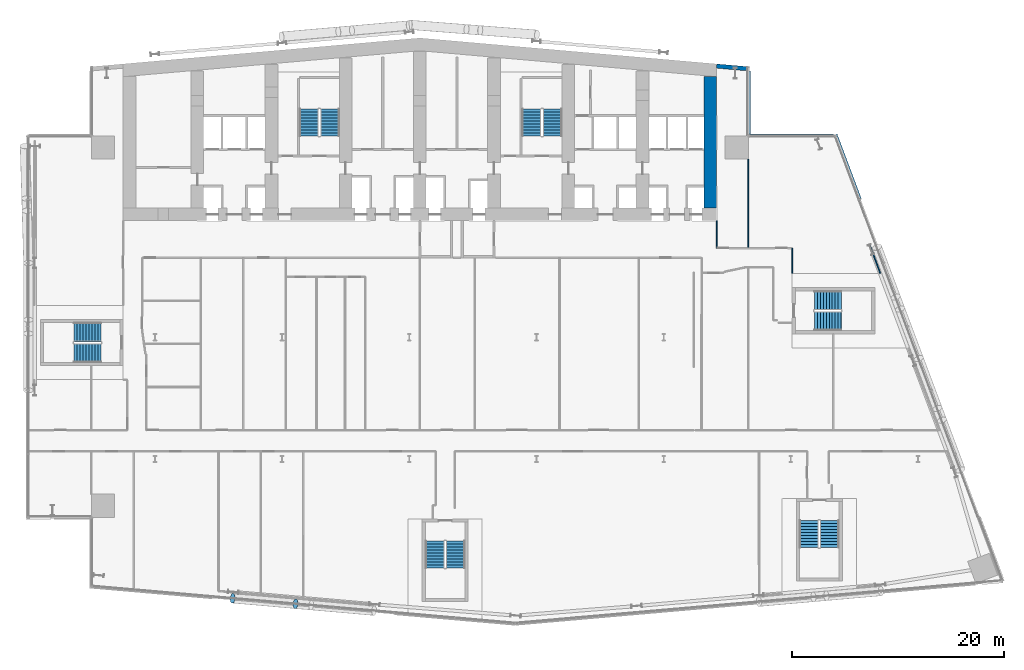
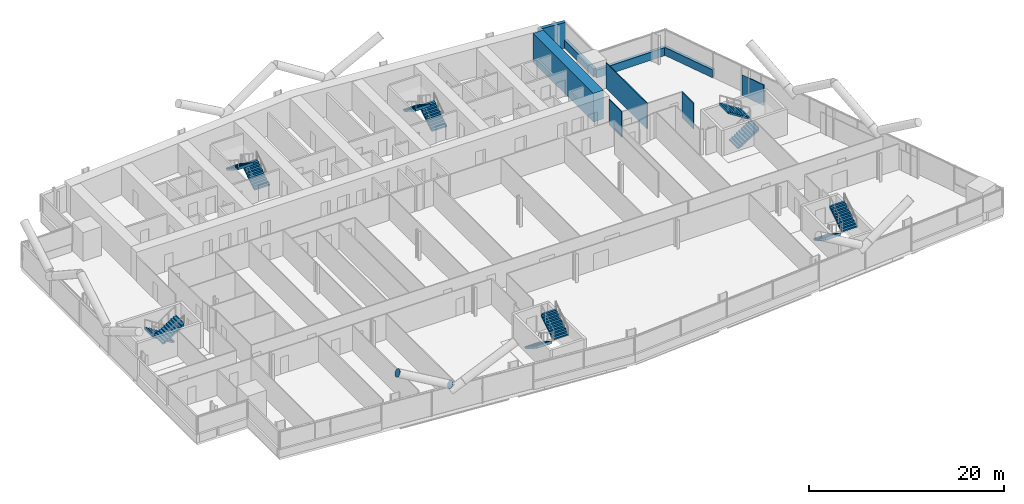
# One storey, part 20 of 27: 12 stair flights, 9 walls, 2 discrete accessories, 6 elements without a shape of their own.
"""IFC4 building model written with IfcOpenShell, lengths in metres."""

from ifc_helpers import new_model, si_unit, direction, frame, frame_2d, origin, origin_2d, place, context, subcontext, project, spatial, polyline, rectangle, circle, outline, extrude, material, layer, layer_set, material_profile, profile_set, type_object, element, aggregate, save


model = new_model("IFC4")

# Units and contexts
model_context = context("Model", 3, precision=1e-05, world=origin(), true_north=direction((0.0, 1.0)))
body_context = subcontext(model_context, "Body", "Model", "MODEL_VIEW")
ifc_project = project(units=[si_unit("LENGTHUNIT", "METRE"), si_unit("AREAUNIT", "SQUARE_METRE"), si_unit("VOLUMEUNIT", "CUBIC_METRE"), si_unit("PLANEANGLEUNIT", "RADIAN"), si_unit("MASSUNIT", "GRAM", prefix="KILO")], contexts=[model_context])

# Site, building, storey
site_placement = place(None, origin())
site = spatial("IfcSite", under=ifc_project, at=site_placement, CompositionType="ELEMENT")
building_placement = place(site_placement, origin())
building = spatial("IfcBuilding", under=site, at=building_placement, Name="Wharfspan Tower", CompositionType="ELEMENT")
storey_placement = place(building_placement, frame((0.0, 0.0, 48.699951)))
storey = spatial("IfcBuildingStorey", under=building, at=storey_placement, Name="L08", CompositionType="ELEMENT", Elevation=48.699951)

# Walls
ifc_material_1 = material(Name="Gypsum board on steel studs", Category="steel")
ifc_layer_1 = layer(ifc_material_1, 0.100098)
ifc_layer_set_1 = layer_set([ifc_layer_1], Name="Gypsum board on steel studs")
wall_type_1 = type_object("IfcWallType", Name="Compartment wall 100 EI 60", PredefinedType="PARTITIONING", material=ifc_layer_set_1)
wall_1_placement = place(storey_placement, frame((65.0, 31.399902, 0.0), z_axis=(0.0, 0.0, 1.0), x_axis=(0.0, 1.0, 0.0)))
element("IfcWall", 1, at=wall_1_placement, inside=storey, type_object=wall_type_1, Name="Partition L08.w050", PredefinedType="PARTITIONING", context=body_context, shape_type="SweptSolid", body=[
    extrude(rectangle(XDim=2.580078, YDim=0.100098, at=frame_2d((1.290039, 0.0))), origin(), (0.0, 0.0, 1.0), 3.199951),
])
wall_2_placement = place(storey_placement, frame((68.0, 31.399902, 0.0), z_axis=(0.0, 0.0, 1.0), x_axis=(0.0, 1.0, 0.0)))
element("IfcWall", 2, at=wall_2_placement, inside=storey, type_object=wall_type_1, Name="Partition L08.w058", PredefinedType="PARTITIONING", context=body_context, shape_type="SweptSolid", body=[
    extrude(rectangle(XDim=8.390137, YDim=0.100098, at=frame_2d((4.195068, 0.0))), origin(), (0.0, 0.0, 1.0), 3.199951),
])
wall_3_placement = place(storey_placement, frame((72.125, 29.02002, 0.0), z_axis=(0.0, 0.0, 1.0), x_axis=(0.0, 1.0, 0.0)))
element("IfcWall", 3, at=wall_3_placement, inside=storey, type_object=wall_type_1, Name="Partition L08.w064", PredefinedType="PARTITIONING", context=body_context, shape_type="SweptSolid", body=[
    extrude(rectangle(XDim=2.379883, YDim=0.100098, at=frame_2d((1.189941, 0.0))), origin(), (0.0, 0.0, 1.0), 3.199951),
])
ifc_material_2 = material(Name="Concrete C70/85", Category="concrete")
ifc_layer_2 = layer(ifc_material_2, 1.199951)
ifc_layer_set_2 = layer_set([ifc_layer_2], Name="Concrete C70/85")
wall_type_2 = type_object("IfcWallType", Name="Core wall 1200 C70/85", PredefinedType="SHEAR", material=ifc_layer_set_2)
wall_4_placement = place(storey_placement, frame((64.399902, 35.199951, 0.0), z_axis=(0.0, 0.0, 1.0), x_axis=(0.0, 1.0, 0.0)))
element("IfcWall", 4, at=wall_4_placement, inside=storey, type_object=wall_type_2, Name="Core cross wall EW1 L08", PredefinedType="SHEAR", context=body_context, shape_type="SweptSolid", body=[
    extrude(rectangle(XDim=12.382812, YDim=1.199951, at=frame_2d((6.191406, 0.0))), origin(), (0.0, 0.0, 1.0), 3.600098),
])
ifc_layer_3 = layer(ifc_material_1, 0.100098)
ifc_layer_set_3 = layer_set([ifc_layer_3], Name="Gypsum board on steel studs")
wall_type_3 = type_object("IfcWallType", Name="Partition 100", PredefinedType="PARTITIONING", material=ifc_layer_set_3)
wall_5_placement = place(storey_placement, frame((80.44751, 29.02002, 0.0), z_axis=(0.0, 0.0, 1.0), x_axis=(-0.35129, 0.93627, 0.0)))
element("IfcWall", 5, at=wall_5_placement, inside=storey, type_object=wall_type_3, Name="Partition L08.w071", PredefinedType="PARTITIONING", context=body_context, shape_type="SweptSolid", body=[
    extrude(rectangle(XDim=2.910645, YDim=0.100098, at=frame_2d((1.455322, 0.0))), origin(), (0.0, 0.0, 1.0), 2.580078),
])
ifc_material_3 = material(Name="Concrete C40/50", Category="concrete")
ifc_layer_4 = layer(ifc_material_3, 0.350098)
ifc_layer_set_4 = layer_set([ifc_layer_4], Name="Concrete C40/50")
wall_type_4 = type_object("IfcWallType", Name="SPANDREL EXPOSED CONCRETE 350", PredefinedType="SOLIDWALL", material=ifc_layer_set_4)
wall_6_placement = place(storey_placement, frame((78.494141, 36.029785, 0.0), z_axis=(0.0, 0.0, 1.0), x_axis=(-0.351108, 0.936338, 0.0)))
element("IfcWall", 6, at=wall_6_placement, inside=storey, type_object=wall_type_4, Name="Spandrel upstand L08 E 2", PredefinedType="SOLIDWALL", context=body_context, shape_type="SweptSolid", body=[
    extrude(rectangle(XDim=6.50293, YDim=0.350098, at=frame_2d((3.251465, 0.0))), origin(), (0.0, 0.0, 1.0), 1.0),
])
wall_7_placement = place(storey_placement, frame((76.047119, 42.004883, 0.0), z_axis=(0.0, 0.0, 1.0), x_axis=(-1.0, 0.0, 0.0)))
element("IfcWall", 7, at=wall_7_placement, inside=storey, type_object=wall_type_4, Name="Spandrel upstand L08 NRE-H", PredefinedType="SOLIDWALL", context=body_context, shape_type="SweptSolid", body=[
    extrude(rectangle(XDim=8.047119, YDim=0.350098, at=frame_2d((4.023438, 0.0))), origin(), (0.0, 0.0, 1.0), 1.0),
])
wall_8_placement = place(storey_placement, frame((68.004883, 42.179932, 0.0), z_axis=(0.0, 0.0, 1.0), x_axis=(0.0, 1.0, 0.0)))
element("IfcWall", 8, at=wall_8_placement, inside=storey, type_object=wall_type_4, Name="Spandrel upstand L08 NRE-V", PredefinedType="SOLIDWALL", context=body_context, shape_type="SweptSolid", body=[
    extrude(rectangle(XDim=5.946533, YDim=0.350098, at=frame_2d((2.973145, 0.0))), origin(), (0.0, 0.0, 1.0), 1.0),
])
ifc_layer_5 = layer(ifc_material_3, 0.399902)
ifc_layer_set_5 = layer_set([ifc_layer_5], Name="Concrete C40/50")
wall_type_5 = type_object("IfcWallType", Name="WALL EXPOSED CONCRETE 400", PredefinedType="SOLIDWALL", material=ifc_layer_set_5)
wall_9_placement = place(storey_placement, frame((67.982666, 48.325684, 0.0), z_axis=(0.0, 0.0, 1.0), x_axis=(-0.996194, 0.087168, 0.0)))
element("IfcWall", 9, at=wall_9_placement, inside=storey, type_object=wall_type_5, Name="Rear wall N2", PredefinedType="SOLIDWALL", context=body_context, shape_type="SweptSolid", body=[
    extrude(rectangle(XDim=2.994141, YDim=0.399902, at=frame_2d((1.49707, 0.0))), origin(), (0.0, 0.0, 1.0), 3.199951),
])

# Stair, stair flights
stair_type = type_object("IfcStairType", Name="Half-turn stair 20 risers 180 mm", PredefinedType="HALF_TURN_STAIR", material=ifc_material_3)
stair_1_placement = place(storey_placement, origin())
stair_1 = element("IfcStair", 10, at=stair_1_placement, inside=storey, type_object=stair_type, Name="L08 stair ST1", PredefinedType="HALF_TURN_STAIR")
stair_flight_type = type_object("IfcStairFlightType", Name="Stair flight 20 risers 180 mm", PredefinedType="STRAIGHT", material=ifc_material_3)
stair_flight_1_placement = place(storey_placement, frame((28.5, 42.0, 0.0), z_axis=(0.0, 0.0, 1.0), x_axis=(0.0, 1.0, 0.0)))
stair_flight_1 = element("IfcStairFlight", 11, at=stair_flight_1_placement, type_object=stair_flight_type, Name="ST1 flight 1", NumberOfRisers=10, NumberOfTreads=9, PredefinedType="STRAIGHT", RiserHeight=0.18, TreadLength=0.28, context=body_context, shape_type="SweptSolid", body=[
    extrude(outline(polyline([(-0.011963, 0.0), (-0.011963, 0.179932), (0.0, 0.179932), (0.280029, 0.179932), (0.280029, 0.360107), (0.560059, 0.360107), (0.560059, 0.540039), (0.840088, 0.540039), (0.840088, 0.719971), (1.120117, 0.719971), (1.120117, 0.899902), (1.399902, 0.899902), (1.399902, 1.080078), (1.679932, 1.080078), (1.679932, 1.26001), (1.959961, 1.26001), (1.959961, 1.439941), (2.23999, 1.439941), (2.23999, 1.620117), (2.52002, 1.620117), (2.531982, 1.800049), (2.531982, 1.441895), (0.2771, 0.0), (-0.011963, 0.0)])), frame((0.0, 0.899902, 0.0), z_axis=(0.0, -1.0, 0.0), x_axis=(1.0, 0.0, 0.0)), (0.0, 0.0, 1.0), 0.899414),
    extrude(outline(polyline([(-0.011963, 0.0), (-0.011963, 0.179932), (0.0, 0.179932), (0.280029, 0.179932), (0.280029, 0.360107), (0.560059, 0.360107), (0.560059, 0.540039), (0.840088, 0.540039), (0.840088, 0.719971), (1.120117, 0.719971), (1.120117, 0.899902), (1.399902, 0.899902), (1.399902, 1.080078), (1.679932, 1.080078), (1.679932, 1.26001), (1.959961, 1.26001), (1.959961, 1.439941), (2.23999, 1.439941), (2.23999, 1.620117), (2.52002, 1.620117), (2.531982, 1.800049), (2.531982, 1.441895), (0.2771, 0.0), (-0.011963, 0.0)])), frame((0.0, -0.000488, 0.0), z_axis=(0.0, -1.0, 0.0), x_axis=(1.0, 0.0, 0.0)), (0.0, 0.0, 1.0), 0.899414),
])
stair_flight_2_placement = place(storey_placement, frame((26.550049, 44.52002, 1.800049), z_axis=(0.0, 0.0, 1.0), x_axis=(0.0, -1.0, 0.0)))
stair_flight_2 = element("IfcStairFlight", 12, at=stair_flight_2_placement, type_object=stair_flight_type, Name="ST1 flight 2", NumberOfRisers=10, NumberOfTreads=9, PredefinedType="STRAIGHT", RiserHeight=0.18, TreadLength=0.28, context=body_context, shape_type="SweptSolid", body=[
    extrude(outline(polyline([(-0.011963, 0.0), (-0.011963, 0.179932), (0.0, 0.179932), (0.280029, 0.179932), (0.280029, 0.360107), (0.560059, 0.360107), (0.560059, 0.540039), (0.840088, 0.540039), (0.840088, 0.719971), (1.120117, 0.719971), (1.120117, 0.899902), (1.399902, 0.899902), (1.399902, 1.080078), (1.679932, 1.080078), (1.679932, 1.26001), (1.959961, 1.26001), (1.959961, 1.439941), (2.23999, 1.439941), (2.23999, 1.620117), (2.52002, 1.620117), (2.531982, 1.800049), (2.531982, 1.441895), (0.2771, 0.0), (-0.011963, 0.0)])), frame((0.0, 0.899902, 0.0), z_axis=(0.0, -1.0, 0.0), x_axis=(1.0, 0.0, 0.0)), (0.0, 0.0, 1.0), 0.899414),
    extrude(outline(polyline([(-0.011963, 0.0), (-0.011963, 0.179932), (0.0, 0.179932), (0.280029, 0.179932), (0.280029, 0.360107), (0.560059, 0.360107), (0.560059, 0.540039), (0.840088, 0.540039), (0.840088, 0.719971), (1.120117, 0.719971), (1.120117, 0.899902), (1.399902, 0.899902), (1.399902, 1.080078), (1.679932, 1.080078), (1.679932, 1.26001), (1.959961, 1.26001), (1.959961, 1.439941), (2.23999, 1.439941), (2.23999, 1.620117), (2.52002, 1.620117), (2.531982, 1.800049), (2.531982, 1.441895), (0.2771, 0.0), (-0.011963, 0.0)])), frame((0.0, -0.000488, 0.0), z_axis=(0.0, -1.0, 0.0), x_axis=(1.0, 0.0, 0.0)), (0.0, 0.0, 1.0), 0.899414),
])
aggregate(stair_1, [stair_flight_1, stair_flight_2])

stair_2_placement = place(storey_placement, origin())
stair_2 = element("IfcStair", 13, at=stair_2_placement, inside=storey, type_object=stair_type, Name="L08 stair ST2", PredefinedType="HALF_TURN_STAIR")
stair_flight_3_placement = place(storey_placement, frame((49.5, 42.0, 0.0), z_axis=(0.0, 0.0, 1.0), x_axis=(0.0, 1.0, 0.0)))
stair_flight_3 = element("IfcStairFlight", 14, at=stair_flight_3_placement, type_object=stair_flight_type, Name="ST2 flight 1", NumberOfRisers=10, NumberOfTreads=9, PredefinedType="STRAIGHT", RiserHeight=0.18, TreadLength=0.28, context=body_context, shape_type="SweptSolid", body=[
    extrude(outline(polyline([(-0.011963, 0.0), (-0.011963, 0.179932), (0.0, 0.179932), (0.280029, 0.179932), (0.280029, 0.360107), (0.560059, 0.360107), (0.560059, 0.540039), (0.840088, 0.540039), (0.840088, 0.719971), (1.120117, 0.719971), (1.120117, 0.899902), (1.399902, 0.899902), (1.399902, 1.080078), (1.679932, 1.080078), (1.679932, 1.26001), (1.959961, 1.26001), (1.959961, 1.439941), (2.23999, 1.439941), (2.23999, 1.620117), (2.52002, 1.620117), (2.531982, 1.800049), (2.531982, 1.441895), (0.2771, 0.0), (-0.011963, 0.0)])), frame((0.0, 0.899902, 0.0), z_axis=(0.0, -1.0, 0.0), x_axis=(1.0, 0.0, 0.0)), (0.0, 0.0, 1.0), 0.899414),
    extrude(outline(polyline([(-0.011963, 0.0), (-0.011963, 0.179932), (0.0, 0.179932), (0.280029, 0.179932), (0.280029, 0.360107), (0.560059, 0.360107), (0.560059, 0.540039), (0.840088, 0.540039), (0.840088, 0.719971), (1.120117, 0.719971), (1.120117, 0.899902), (1.399902, 0.899902), (1.399902, 1.080078), (1.679932, 1.080078), (1.679932, 1.26001), (1.959961, 1.26001), (1.959961, 1.439941), (2.23999, 1.439941), (2.23999, 1.620117), (2.52002, 1.620117), (2.531982, 1.800049), (2.531982, 1.441895), (0.2771, 0.0), (-0.011963, 0.0)])), frame((0.0, -0.000488, 0.0), z_axis=(0.0, -1.0, 0.0), x_axis=(1.0, 0.0, 0.0)), (0.0, 0.0, 1.0), 0.899414),
])
stair_flight_4_placement = place(storey_placement, frame((47.550049, 44.52002, 1.800049), z_axis=(0.0, 0.0, 1.0), x_axis=(0.0, -1.0, 0.0)))
stair_flight_4 = element("IfcStairFlight", 15, at=stair_flight_4_placement, type_object=stair_flight_type, Name="ST2 flight 2", NumberOfRisers=10, NumberOfTreads=9, PredefinedType="STRAIGHT", RiserHeight=0.18, TreadLength=0.28, context=body_context, shape_type="SweptSolid", body=[
    extrude(outline(polyline([(-0.011963, 0.0), (-0.011963, 0.179932), (0.0, 0.179932), (0.280029, 0.179932), (0.280029, 0.360107), (0.560059, 0.360107), (0.560059, 0.540039), (0.840088, 0.540039), (0.840088, 0.719971), (1.120117, 0.719971), (1.120117, 0.899902), (1.399902, 0.899902), (1.399902, 1.080078), (1.679932, 1.080078), (1.679932, 1.26001), (1.959961, 1.26001), (1.959961, 1.439941), (2.23999, 1.439941), (2.23999, 1.620117), (2.52002, 1.620117), (2.531982, 1.800049), (2.531982, 1.441895), (0.2771, 0.0), (-0.011963, 0.0)])), frame((0.0, 0.899902, 0.0), z_axis=(0.0, -1.0, 0.0), x_axis=(1.0, 0.0, 0.0)), (0.0, 0.0, 1.0), 0.899414),
    extrude(outline(polyline([(-0.011963, 0.0), (-0.011963, 0.179932), (0.0, 0.179932), (0.280029, 0.179932), (0.280029, 0.360107), (0.560059, 0.360107), (0.560059, 0.540039), (0.840088, 0.540039), (0.840088, 0.719971), (1.120117, 0.719971), (1.120117, 0.899902), (1.399902, 0.899902), (1.399902, 1.080078), (1.679932, 1.080078), (1.679932, 1.26001), (1.959961, 1.26001), (1.959961, 1.439941), (2.23999, 1.439941), (2.23999, 1.620117), (2.52002, 1.620117), (2.531982, 1.800049), (2.531982, 1.441895), (0.2771, 0.0), (-0.011963, 0.0)])), frame((0.0, -0.000488, 0.0), z_axis=(0.0, -1.0, 0.0), x_axis=(1.0, 0.0, 0.0)), (0.0, 0.0, 1.0), 0.899414),
])
aggregate(stair_2, [stair_flight_3, stair_flight_4])

stair_3_placement = place(storey_placement, origin())
stair_3 = element("IfcStair", 16, at=stair_3_placement, inside=storey, type_object=stair_type, Name="L08 stair ST3", PredefinedType="HALF_TURN_STAIR")
stair_flight_5_placement = place(storey_placement, frame((6.899902, 23.475098, 0.0), z_axis=(0.0, 0.0, 1.0), x_axis=(-1.0, 0.0, 0.0)))
stair_flight_5 = element("IfcStairFlight", 17, at=stair_flight_5_placement, type_object=stair_flight_type, Name="ST3 flight 1", NumberOfRisers=10, NumberOfTreads=9, PredefinedType="STRAIGHT", RiserHeight=0.18, TreadLength=0.28, context=body_context, shape_type="SweptSolid", body=[
    extrude(outline(polyline([(-0.011963, 0.0), (-0.011963, 0.179932), (0.0, 0.179932), (0.280029, 0.179932), (0.280029, 0.360107), (0.560059, 0.360107), (0.560059, 0.540039), (0.840088, 0.540039), (0.840088, 0.719971), (1.120117, 0.719971), (1.120117, 0.899902), (1.399902, 0.899902), (1.399902, 1.080078), (1.679932, 1.080078), (1.679932, 1.26001), (1.959961, 1.26001), (1.959961, 1.439941), (2.23999, 1.439941), (2.23999, 1.620117), (2.52002, 1.620117), (2.531982, 1.800049), (2.531982, 1.441895), (0.2771, 0.0), (-0.011963, 0.0)])), frame((0.0, 0.899902, 0.0), z_axis=(0.0, -1.0, 0.0), x_axis=(1.0, 0.0, 0.0)), (0.0, 0.0, 1.0), 0.899414),
    extrude(outline(polyline([(-0.011963, 0.0), (-0.011963, 0.179932), (0.0, 0.179932), (0.280029, 0.179932), (0.280029, 0.360107), (0.560059, 0.360107), (0.560059, 0.540039), (0.840088, 0.540039), (0.840088, 0.719971), (1.120117, 0.719971), (1.120117, 0.899902), (1.399902, 0.899902), (1.399902, 1.080078), (1.679932, 1.080078), (1.679932, 1.26001), (1.959961, 1.26001), (1.959961, 1.439941), (2.23999, 1.439941), (2.23999, 1.620117), (2.52002, 1.620117), (2.531982, 1.800049), (2.531982, 1.441895), (0.2771, 0.0), (-0.011963, 0.0)])), frame((0.0, -0.000488, 0.0), z_axis=(0.0, -1.0, 0.0), x_axis=(1.0, 0.0, 0.0)), (0.0, 0.0, 1.0), 0.899414),
])
stair_flight_6_placement = place(storey_placement, frame((4.379883, 21.524902, 1.800049), z_axis=(0.0, 0.0, 1.0), x_axis=(1.0, 0.0, 0.0)))
stair_flight_6 = element("IfcStairFlight", 18, at=stair_flight_6_placement, type_object=stair_flight_type, Name="ST3 flight 2", NumberOfRisers=10, NumberOfTreads=9, PredefinedType="STRAIGHT", RiserHeight=0.18, TreadLength=0.28, context=body_context, shape_type="SweptSolid", body=[
    extrude(outline(polyline([(-0.011963, 0.0), (-0.011963, 0.179932), (0.0, 0.179932), (0.280029, 0.179932), (0.280029, 0.360107), (0.560059, 0.360107), (0.560059, 0.540039), (0.840088, 0.540039), (0.840088, 0.719971), (1.120117, 0.719971), (1.120117, 0.899902), (1.399902, 0.899902), (1.399902, 1.080078), (1.679932, 1.080078), (1.679932, 1.26001), (1.959961, 1.26001), (1.959961, 1.439941), (2.23999, 1.439941), (2.23999, 1.620117), (2.52002, 1.620117), (2.531982, 1.800049), (2.531982, 1.441895), (0.2771, 0.0), (-0.011963, 0.0)])), frame((0.0, 0.899902, 0.0), z_axis=(0.0, -1.0, 0.0), x_axis=(1.0, 0.0, 0.0)), (0.0, 0.0, 1.0), 0.899414),
    extrude(outline(polyline([(-0.011963, 0.0), (-0.011963, 0.179932), (0.0, 0.179932), (0.280029, 0.179932), (0.280029, 0.360107), (0.560059, 0.360107), (0.560059, 0.540039), (0.840088, 0.540039), (0.840088, 0.719971), (1.120117, 0.719971), (1.120117, 0.899902), (1.399902, 0.899902), (1.399902, 1.080078), (1.679932, 1.080078), (1.679932, 1.26001), (1.959961, 1.26001), (1.959961, 1.439941), (2.23999, 1.439941), (2.23999, 1.620117), (2.52002, 1.620117), (2.531982, 1.800049), (2.531982, 1.441895), (0.2771, 0.0), (-0.011963, 0.0)])), frame((0.0, -0.000488, 0.0), z_axis=(0.0, -1.0, 0.0), x_axis=(1.0, 0.0, 0.0)), (0.0, 0.0, 1.0), 0.899414),
])
aggregate(stair_3, [stair_flight_5, stair_flight_6])

stair_4_placement = place(storey_placement, origin())
stair_4 = element("IfcStair", 19, at=stair_4_placement, inside=storey, type_object=stair_type, Name="L08 stair ST4", PredefinedType="HALF_TURN_STAIR")
stair_flight_7_placement = place(storey_placement, frame((38.408203, 3.760498, 0.0), z_axis=(0.0, 0.0, 1.0), x_axis=(0.0, -1.0, 0.0)))
stair_flight_7 = element("IfcStairFlight", 20, at=stair_flight_7_placement, type_object=stair_flight_type, Name="ST4 flight 1", NumberOfRisers=10, NumberOfTreads=9, PredefinedType="STRAIGHT", RiserHeight=0.18, TreadLength=0.28, context=body_context, shape_type="SweptSolid", body=[
    extrude(outline(polyline([(-0.011963, 0.0), (-0.011963, 0.179932), (0.0, 0.179932), (0.280029, 0.179932), (0.280029, 0.360107), (0.560059, 0.360107), (0.560059, 0.540039), (0.840088, 0.540039), (0.840088, 0.719971), (1.120117, 0.719971), (1.120117, 0.899902), (1.399902, 0.899902), (1.399902, 1.080078), (1.679932, 1.080078), (1.679932, 1.26001), (1.959961, 1.26001), (1.959961, 1.439941), (2.23999, 1.439941), (2.23999, 1.620117), (2.52002, 1.620117), (2.531982, 1.800049), (2.531982, 1.441895), (0.2771, 0.0), (-0.011963, 0.0)])), frame((0.0, 0.899902, 0.0), z_axis=(0.0, -1.0, 0.0), x_axis=(1.0, 0.0, 0.0)), (0.0, 0.0, 1.0), 0.899414),
    extrude(outline(polyline([(-0.011963, 0.0), (-0.011963, 0.179932), (0.0, 0.179932), (0.280029, 0.179932), (0.280029, 0.360107), (0.560059, 0.360107), (0.560059, 0.540039), (0.840088, 0.540039), (0.840088, 0.719971), (1.120117, 0.719971), (1.120117, 0.899902), (1.399902, 0.899902), (1.399902, 1.080078), (1.679932, 1.080078), (1.679932, 1.26001), (1.959961, 1.26001), (1.959961, 1.439941), (2.23999, 1.439941), (2.23999, 1.620117), (2.52002, 1.620117), (2.531982, 1.800049), (2.531982, 1.441895), (0.2771, 0.0), (-0.011963, 0.0)])), frame((0.0, -0.000488, 0.0), z_axis=(0.0, -1.0, 0.0), x_axis=(1.0, 0.0, 0.0)), (0.0, 0.0, 1.0), 0.899414),
])
stair_flight_8_placement = place(storey_placement, frame((40.358398, 1.240723, 1.800049), z_axis=(0.0, 0.0, 1.0), x_axis=(0.0, 1.0, 0.0)))
stair_flight_8 = element("IfcStairFlight", 21, at=stair_flight_8_placement, type_object=stair_flight_type, Name="ST4 flight 2", NumberOfRisers=10, NumberOfTreads=9, PredefinedType="STRAIGHT", RiserHeight=0.18, TreadLength=0.28, context=body_context, shape_type="SweptSolid", body=[
    extrude(outline(polyline([(-0.011963, 0.0), (-0.011963, 0.179932), (0.0, 0.179932), (0.280029, 0.179932), (0.280029, 0.360107), (0.560059, 0.360107), (0.560059, 0.540039), (0.840088, 0.540039), (0.840088, 0.719971), (1.120117, 0.719971), (1.120117, 0.899902), (1.399902, 0.899902), (1.399902, 1.080078), (1.679932, 1.080078), (1.679932, 1.26001), (1.959961, 1.26001), (1.959961, 1.439941), (2.23999, 1.439941), (2.23999, 1.620117), (2.52002, 1.620117), (2.531982, 1.800049), (2.531982, 1.441895), (0.2771, 0.0), (-0.011963, 0.0)])), frame((0.0, 0.899902, 0.0), z_axis=(0.0, -1.0, 0.0), x_axis=(1.0, 0.0, 0.0)), (0.0, 0.0, 1.0), 0.899414),
    extrude(outline(polyline([(-0.011963, 0.0), (-0.011963, 0.179932), (0.0, 0.179932), (0.280029, 0.179932), (0.280029, 0.360107), (0.560059, 0.360107), (0.560059, 0.540039), (0.840088, 0.540039), (0.840088, 0.719971), (1.120117, 0.719971), (1.120117, 0.899902), (1.399902, 0.899902), (1.399902, 1.080078), (1.679932, 1.080078), (1.679932, 1.26001), (1.959961, 1.26001), (1.959961, 1.439941), (2.23999, 1.439941), (2.23999, 1.620117), (2.52002, 1.620117), (2.531982, 1.800049), (2.531982, 1.441895), (0.2771, 0.0), (-0.011963, 0.0)])), frame((0.0, -0.000488, 0.0), z_axis=(0.0, -1.0, 0.0), x_axis=(1.0, 0.0, 0.0)), (0.0, 0.0, 1.0), 0.899414),
])
aggregate(stair_4, [stair_flight_7, stair_flight_8])

stair_5_placement = place(storey_placement, origin())
stair_5 = element("IfcStair", 22, at=stair_5_placement, inside=storey, type_object=stair_type, Name="L08 stair ST5", PredefinedType="HALF_TURN_STAIR")
stair_flight_9_placement = place(storey_placement, frame((73.717529, 5.691895, 0.0), z_axis=(0.0, 0.0, 1.0), x_axis=(0.0, -1.0, 0.0)))
stair_flight_9 = element("IfcStairFlight", 23, at=stair_flight_9_placement, type_object=stair_flight_type, Name="ST5 flight 1", NumberOfRisers=10, NumberOfTreads=9, PredefinedType="STRAIGHT", RiserHeight=0.18, TreadLength=0.28, context=body_context, shape_type="SweptSolid", body=[
    extrude(outline(polyline([(-0.011963, 0.0), (-0.011963, 0.179932), (0.0, 0.179932), (0.280029, 0.179932), (0.280029, 0.360107), (0.560059, 0.360107), (0.560059, 0.540039), (0.840088, 0.540039), (0.840088, 0.719971), (1.120117, 0.719971), (1.120117, 0.899902), (1.399902, 0.899902), (1.399902, 1.080078), (1.679932, 1.080078), (1.679932, 1.26001), (1.959961, 1.26001), (1.959961, 1.439941), (2.23999, 1.439941), (2.23999, 1.620117), (2.52002, 1.620117), (2.531982, 1.800049), (2.531982, 1.441895), (0.2771, 0.0), (-0.011963, 0.0)])), frame((0.0, 0.899902, 0.0), z_axis=(0.0, -1.0, 0.0), x_axis=(1.0, 0.0, 0.0)), (0.0, 0.0, 1.0), 0.899414),
    extrude(outline(polyline([(-0.011963, 0.0), (-0.011963, 0.179932), (0.0, 0.179932), (0.280029, 0.179932), (0.280029, 0.360107), (0.560059, 0.360107), (0.560059, 0.540039), (0.840088, 0.540039), (0.840088, 0.719971), (1.120117, 0.719971), (1.120117, 0.899902), (1.399902, 0.899902), (1.399902, 1.080078), (1.679932, 1.080078), (1.679932, 1.26001), (1.959961, 1.26001), (1.959961, 1.439941), (2.23999, 1.439941), (2.23999, 1.620117), (2.52002, 1.620117), (2.531982, 1.800049), (2.531982, 1.441895), (0.2771, 0.0), (-0.011963, 0.0)])), frame((0.0, -0.000488, 0.0), z_axis=(0.0, -1.0, 0.0), x_axis=(1.0, 0.0, 0.0)), (0.0, 0.0, 1.0), 0.899414),
])
stair_flight_10_placement = place(storey_placement, frame((75.66748, 3.172119, 1.800049), z_axis=(0.0, 0.0, 1.0), x_axis=(0.0, 1.0, 0.0)))
stair_flight_10 = element("IfcStairFlight", 24, at=stair_flight_10_placement, type_object=stair_flight_type, Name="ST5 flight 2", NumberOfRisers=10, NumberOfTreads=9, PredefinedType="STRAIGHT", RiserHeight=0.18, TreadLength=0.28, context=body_context, shape_type="SweptSolid", body=[
    extrude(outline(polyline([(-0.011963, 0.0), (-0.011963, 0.179932), (0.0, 0.179932), (0.280029, 0.179932), (0.280029, 0.360107), (0.560059, 0.360107), (0.560059, 0.540039), (0.840088, 0.540039), (0.840088, 0.719971), (1.120117, 0.719971), (1.120117, 0.899902), (1.399902, 0.899902), (1.399902, 1.080078), (1.679932, 1.080078), (1.679932, 1.26001), (1.959961, 1.26001), (1.959961, 1.439941), (2.23999, 1.439941), (2.23999, 1.620117), (2.52002, 1.620117), (2.531982, 1.800049), (2.531982, 1.441895), (0.2771, 0.0), (-0.011963, 0.0)])), frame((0.0, 0.899902, 0.0), z_axis=(0.0, -1.0, 0.0), x_axis=(1.0, 0.0, 0.0)), (0.0, 0.0, 1.0), 0.899414),
    extrude(outline(polyline([(-0.011963, 0.0), (-0.011963, 0.179932), (0.0, 0.179932), (0.280029, 0.179932), (0.280029, 0.360107), (0.560059, 0.360107), (0.560059, 0.540039), (0.840088, 0.540039), (0.840088, 0.719971), (1.120117, 0.719971), (1.120117, 0.899902), (1.399902, 0.899902), (1.399902, 1.080078), (1.679932, 1.080078), (1.679932, 1.26001), (1.959961, 1.26001), (1.959961, 1.439941), (2.23999, 1.439941), (2.23999, 1.620117), (2.52002, 1.620117), (2.531982, 1.800049), (2.531982, 1.441895), (0.2771, 0.0), (-0.011963, 0.0)])), frame((0.0, -0.000488, 0.0), z_axis=(0.0, -1.0, 0.0), x_axis=(1.0, 0.0, 0.0)), (0.0, 0.0, 1.0), 0.899414),
])
aggregate(stair_5, [stair_flight_9, stair_flight_10])

stair_6_placement = place(storey_placement, origin())
stair_6 = element("IfcStair", 25, at=stair_6_placement, inside=storey, type_object=stair_type, Name="L08 stair ST6", PredefinedType="HALF_TURN_STAIR")
stair_flight_11_placement = place(storey_placement, frame((74.225098, 24.524902, 0.0), z_axis=(0.0, 0.0, 1.0), x_axis=(1.0, 0.0, 0.0)))
stair_flight_11 = element("IfcStairFlight", 26, at=stair_flight_11_placement, type_object=stair_flight_type, Name="ST6 flight 1", NumberOfRisers=10, NumberOfTreads=9, PredefinedType="STRAIGHT", RiserHeight=0.18, TreadLength=0.28, context=body_context, shape_type="SweptSolid", body=[
    extrude(outline(polyline([(-0.011963, 0.0), (-0.011963, 0.179932), (0.0, 0.179932), (0.280029, 0.179932), (0.280029, 0.360107), (0.560059, 0.360107), (0.560059, 0.540039), (0.840088, 0.540039), (0.840088, 0.719971), (1.120117, 0.719971), (1.120117, 0.899902), (1.399902, 0.899902), (1.399902, 1.080078), (1.679932, 1.080078), (1.679932, 1.26001), (1.959961, 1.26001), (1.959961, 1.439941), (2.23999, 1.439941), (2.23999, 1.620117), (2.52002, 1.620117), (2.531982, 1.800049), (2.531982, 1.441895), (0.2771, 0.0), (-0.011963, 0.0)])), frame((0.0, 0.899902, 0.0), z_axis=(0.0, -1.0, 0.0), x_axis=(1.0, 0.0, 0.0)), (0.0, 0.0, 1.0), 0.899414),
    extrude(outline(polyline([(-0.011963, 0.0), (-0.011963, 0.179932), (0.0, 0.179932), (0.280029, 0.179932), (0.280029, 0.360107), (0.560059, 0.360107), (0.560059, 0.540039), (0.840088, 0.540039), (0.840088, 0.719971), (1.120117, 0.719971), (1.120117, 0.899902), (1.399902, 0.899902), (1.399902, 1.080078), (1.679932, 1.080078), (1.679932, 1.26001), (1.959961, 1.26001), (1.959961, 1.439941), (2.23999, 1.439941), (2.23999, 1.620117), (2.52002, 1.620117), (2.531982, 1.800049), (2.531982, 1.441895), (0.2771, 0.0), (-0.011963, 0.0)])), frame((0.0, -0.000488, 0.0), z_axis=(0.0, -1.0, 0.0), x_axis=(1.0, 0.0, 0.0)), (0.0, 0.0, 1.0), 0.899414),
])
stair_flight_12_placement = place(storey_placement, frame((76.745117, 26.475098, 1.800049), z_axis=(0.0, 0.0, 1.0), x_axis=(-1.0, 0.0, 0.0)))
stair_flight_12 = element("IfcStairFlight", 27, at=stair_flight_12_placement, type_object=stair_flight_type, Name="ST6 flight 2", NumberOfRisers=10, NumberOfTreads=9, PredefinedType="STRAIGHT", RiserHeight=0.18, TreadLength=0.28, context=body_context, shape_type="SweptSolid", body=[
    extrude(outline(polyline([(-0.011963, 0.0), (-0.011963, 0.179932), (0.0, 0.179932), (0.280029, 0.179932), (0.280029, 0.360107), (0.560059, 0.360107), (0.560059, 0.540039), (0.840088, 0.540039), (0.840088, 0.719971), (1.120117, 0.719971), (1.120117, 0.899902), (1.399902, 0.899902), (1.399902, 1.080078), (1.679932, 1.080078), (1.679932, 1.26001), (1.959961, 1.26001), (1.959961, 1.439941), (2.23999, 1.439941), (2.23999, 1.620117), (2.52002, 1.620117), (2.531982, 1.800049), (2.531982, 1.441895), (0.2771, 0.0), (-0.011963, 0.0)])), frame((0.0, 0.899902, 0.0), z_axis=(0.0, -1.0, 0.0), x_axis=(1.0, 0.0, 0.0)), (0.0, 0.0, 1.0), 0.899414),
    extrude(outline(polyline([(-0.011963, 0.0), (-0.011963, 0.179932), (0.0, 0.179932), (0.280029, 0.179932), (0.280029, 0.360107), (0.560059, 0.360107), (0.560059, 0.540039), (0.840088, 0.540039), (0.840088, 0.719971), (1.120117, 0.719971), (1.120117, 0.899902), (1.399902, 0.899902), (1.399902, 1.080078), (1.679932, 1.080078), (1.679932, 1.26001), (1.959961, 1.26001), (1.959961, 1.439941), (2.23999, 1.439941), (2.23999, 1.620117), (2.52002, 1.620117), (2.531982, 1.800049), (2.531982, 1.441895), (0.2771, 0.0), (-0.011963, 0.0)])), frame((0.0, -0.000488, 0.0), z_axis=(0.0, -1.0, 0.0), x_axis=(1.0, 0.0, 0.0)), (0.0, 0.0, 1.0), 0.899414),
])
aggregate(stair_6, [stair_flight_11, stair_flight_12])

# Discrete accessories
ifc_material_4 = material(Name="Steel S460NH", Category="steel")
ifc_material_profile = material_profile(ifc_material_4, circle(Radius=0.457031, at=origin_2d()))
ifc_profile_set = profile_set([ifc_material_profile], Name="Steel S460NH")
discrete_accessory_type = type_object("IfcDiscreteAccessoryType", Name="End plate CHS 914x40", PredefinedType="BRACKET", material=ifc_profile_set)
for number, where, z_axis, x_axis, name in (
    (28, (25.271973, -2.155762, 3.295654), (-0.871847, 0.072654, 0.484359), (-0.083044, -0.996547, 3e-06), "End plate CHS 914x40"),
    (29, (19.338135, -1.636719, 6.5), (-0.871847, 0.072654, 0.484359), (-0.083044, -0.996547, 3e-06), "End plate CHS 914x40"),
):
    element("IfcDiscreteAccessory", number, at=place(storey_placement, frame(where, z_axis=z_axis, x_axis=x_axis)), inside=storey, type_object=discrete_accessory_type, Name=name, PredefinedType="BRACKET", context=body_context, shape_type="SweptSolid", body=[
        extrude(circle(Radius=0.457031, at=origin_2d()), origin(), (0.0, 0.0, 1.0), 0.01001),
    ])

save(model, "model.ifc")
